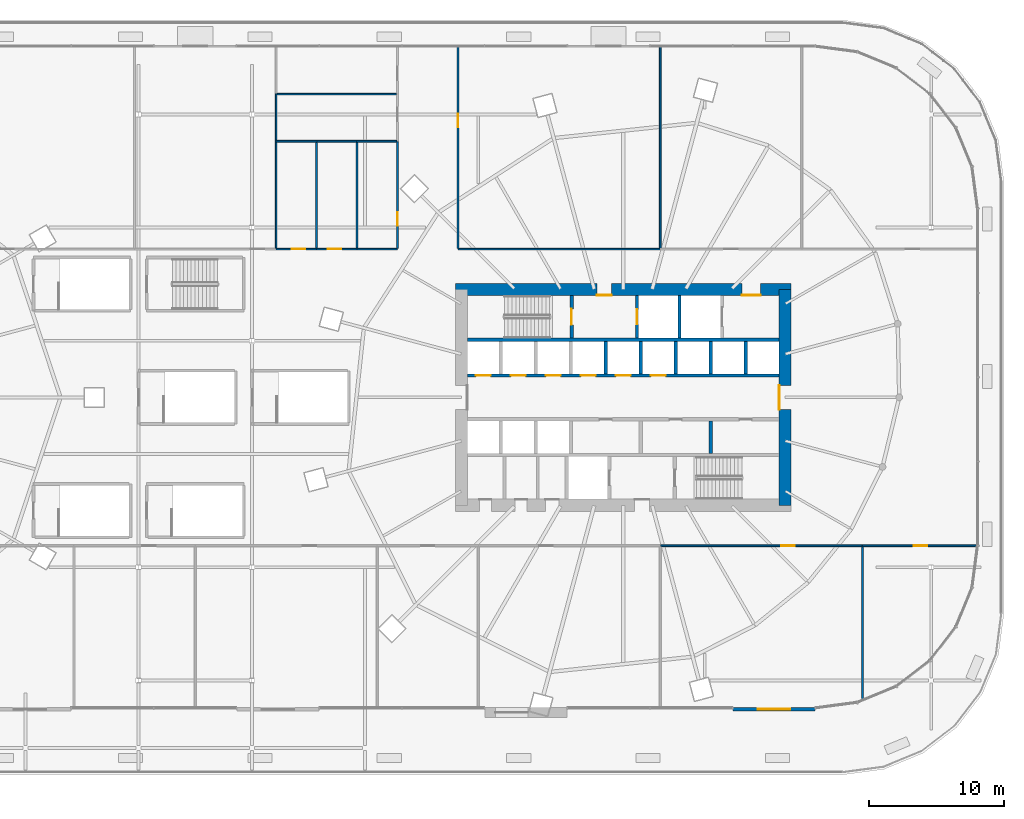
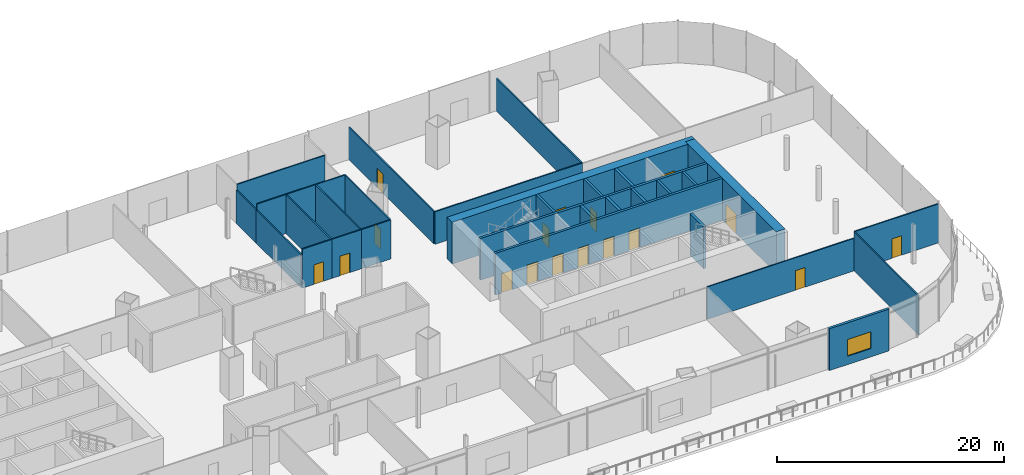
# One storey, part 37 of 49: 32 walls, 17 doors, 1 window, 18 openings.
"""IFC4 building model written with IfcOpenShell, lengths in metres."""

from ifc_helpers import new_model, si_unit, direction, frame, frame_2d, origin, place, context, subcontext, project, spatial, rectangle, extrude, material, layer, layer_set, type_object, element, fill, save


model = new_model("IFC4")

# Units and contexts
model_context = context("Model", 3, precision=1e-05, world=origin(), true_north=direction((0.0, 1.0)))
body_context = subcontext(model_context, "Body", "Model", "MODEL_VIEW")
ifc_project = project(units=[si_unit("LENGTHUNIT", "METRE"), si_unit("AREAUNIT", "SQUARE_METRE"), si_unit("VOLUMEUNIT", "CUBIC_METRE"), si_unit("PLANEANGLEUNIT", "RADIAN"), si_unit("MASSUNIT", "GRAM", prefix="KILO")], contexts=[model_context])

# Site, building, storey
site_placement = place(None, origin())
site = spatial("IfcSite", under=ifc_project, at=site_placement, CompositionType="ELEMENT")
building_placement = place(site_placement, origin())
building = spatial("IfcBuilding", under=site, at=building_placement, Name="Rimbun Link Towers", CompositionType="ELEMENT")
storey_placement = place(building_placement, frame((0.0, 0.0, 25.5)))
storey = spatial("IfcBuildingStorey", under=building, at=storey_placement, Name="L05", CompositionType="ELEMENT", Elevation=25.5)

# Wall, openings, doors
ifc_material_1 = material(Name="Concrete C60/75", Category="concrete")
ifc_layer_1 = layer(ifc_material_1, 0.89990234375)
ifc_layer_set_1 = layer_set([ifc_layer_1], Name="Core shear wall 900")
wall_type_1 = type_object("IfcWallType", Name="Core shear wall 900", PredefinedType="SHEAR", material=ifc_layer_set_1)
wall_1_placement = place(storey_placement, frame((19.300048828125, 8.0, 0.0), z_axis=(0.0, 0.0, 1.0), x_axis=(1.0, 0.0, 0.0)))
wall_1 = element("IfcWall", 1, at=wall_1_placement, inside=storey, type_object=wall_type_1, Name="L05 T2 core wall N", PredefinedType="SHEAR", context=body_context, shape_type="SweptSolid", body=[
    extrude(rectangle(XDim=24.89990234375, YDim=0.89990234375, at=frame_2d((12.449951171875, 0.0))), origin(), (0.0, 0.0, 1.0), 4.5),
])
opening_1_placement = place(wall_1_placement, frame((10.5, 0.0, 0.0)))
opening_1 = element("IfcOpeningElement", 2, at=opening_1_placement, cuts=wall_1, Name="Opening C2DCF01N", PredefinedType="OPENING", context=body_context, shape_type="SweptSolid", body=[
    extrude(rectangle(XDim=1.10009765625, YDim=2.10009765625, at=frame_2d((0.550048828125, 1.050048828125))), frame((0.0, 0.4599609375, 0.0), z_axis=(0.0, -1.0, 0.0), x_axis=(1.0, 0.0, 0.0)), (0.0, 0.0, 1.0), 0.919921875),
])
opening_2_placement = place(wall_1_placement, frame((21.25, 0.0, 0.0)))
opening_2 = element("IfcOpeningElement", 3, at=opening_2_placement, cuts=wall_1, Name="Opening C2DSL02N", PredefinedType="OPENING", context=body_context, shape_type="SweptSolid", body=[
    extrude(rectangle(XDim=1.39990234375, YDim=2.10009765625, at=frame_2d((0.699951171875, 1.050048828125))), frame((0.0, 0.4599609375, 0.0), z_axis=(0.0, -1.0, 0.0), x_axis=(1.0, 0.0, 0.0)), (0.0, 0.0, 1.0), 0.919921875),
])
ifc_material_2 = material(Name="Steel fire door set", Category="steel")
door_type_1 = type_object("IfcDoorType", Name="Core fire door single", OperationType="SINGLE_SWING_LEFT", PredefinedType="DOOR", material=ifc_material_2)
door_1_placement = place(opening_1_placement, origin())
door_1 = element("IfcDoor", 4, at=door_1_placement, inside=storey, type_object=door_type_1, Name="L05 T2 firefighting lobby n door", OperationType="SINGLE_SWING_LEFT", OverallHeight=2.10009765625, OverallWidth=1.10009765625, PredefinedType="DOOR", context=body_context, shape_type="SweptSolid", body=[
    extrude(rectangle(XDim=1.10009765625, YDim=2.10009765625, at=frame_2d((0.550048828125, 1.050048828125))), frame((0.0, -0.39990234375, 0.0), z_axis=(0.0, -1.0, 0.0), x_axis=(1.0, 0.0, 0.0)), (0.0, 0.0, 1.0), 0.050048828125),
])
fill(opening_1, door_1)
ifc_material_3 = material(Name="Steel fire door set", Category="steel")
door_type_2 = type_object("IfcDoorType", Name="Service lobby door double", OperationType="DOUBLE_DOOR_SINGLE_SWING", PredefinedType="DOOR", material=ifc_material_3)
door_2_placement = place(opening_2_placement, origin())
door_2 = element("IfcDoor", 5, at=door_2_placement, inside=storey, type_object=door_type_2, Name="L05 T2 service lobby door", OperationType="DOUBLE_DOOR_SINGLE_SWING", OverallHeight=2.10009765625, OverallWidth=1.39990234375, PredefinedType="DOOR", context=body_context, shape_type="SweptSolid", body=[
    extrude(rectangle(XDim=1.39990234375, YDim=2.10009765625, at=frame_2d((0.699951171875, 1.050048828125))), frame((0.0, -0.39990234375, 0.0), z_axis=(0.0, -1.0, 0.0), x_axis=(1.0, 0.0, 0.0)), (0.0, 0.0, 1.0), 0.050048828125),
])
fill(opening_2, door_2)

# Wall, opening, door
wall_2_placement = place(storey_placement, frame((43.75, -8.0, 0.0), z_axis=(0.0, 0.0, 1.0), x_axis=(0.0, 1.0, 0.0)))
wall_2 = element("IfcWall", 6, at=wall_2_placement, inside=storey, type_object=wall_type_1, Name="L05 T2 core wall E", PredefinedType="SHEAR", context=body_context, shape_type="SweptSolid", body=[
    extrude(rectangle(XDim=16.0, YDim=0.89990234375, at=frame_2d((8.0, 0.0))), origin(), (0.0, 0.0, 1.0), 4.5),
])
opening_3_placement = place(wall_2_placement, frame((7.10009765625, 0.0, 0.0)))
opening_3 = element("IfcOpeningElement", 7, at=opening_3_placement, cuts=wall_2, Name="Opening C2DCL01E", PredefinedType="OPENING", context=body_context, shape_type="SweptSolid", body=[
    extrude(rectangle(XDim=1.800048828125, YDim=2.10009765625, at=frame_2d((0.89990234375, 1.050048828125))), frame((0.0, 0.4599609375, 0.0), z_axis=(0.0, -1.0, 0.0), x_axis=(1.0, 0.0, 0.0)), (0.0, 0.0, 1.0), 0.919921875),
])
ifc_material_4 = material(Name="Steel fire door set", Category="steel")
door_type_3 = type_object("IfcDoorType", Name="Core lobby door double", OperationType="DOUBLE_DOOR_SINGLE_SWING", PredefinedType="DOOR", material=ifc_material_4)
door_3_placement = place(opening_3_placement, origin())
door_3 = element("IfcDoor", 8, at=door_3_placement, inside=storey, type_object=door_type_3, Name="L05 T2 lift lobby door", OperationType="DOUBLE_DOOR_SINGLE_SWING", OverallHeight=2.10009765625, OverallWidth=1.800048828125, PredefinedType="DOOR", context=body_context, shape_type="SweptSolid", body=[
    extrude(rectangle(XDim=1.800048828125, YDim=2.10009765625, at=frame_2d((0.89990234375, 1.050048828125))), frame((0.0, 0.4501953125, 0.0), z_axis=(0.0, -1.0, 0.0), x_axis=(1.0, 0.0, 0.0)), (0.0, 0.0, 1.0), 0.050048828125),
])
fill(opening_3, door_3)

# Wall, opening, window
ifc_material_5 = material(Name="Concrete C32/40, terracotta rainscreen cladding", Category="masonry")
ifc_layer_2 = layer(ifc_material_5, 0.25)
ifc_layer_set_2 = layer_set([ifc_layer_2], Name="PD solid bay wall 250")
wall_type_2 = type_object("IfcWallType", Name="PD solid bay wall 250", PredefinedType="STANDARD", material=ifc_layer_set_2)
wall_3_placement = place(storey_placement, frame((45.97998046875, -23.125, 0.0), z_axis=(0.0, 0.0, 1.0), x_axis=(-1.0, 0.0, 0.0)))
wall_3 = element("IfcWall", 9, at=wall_3_placement, inside=storey, type_object=wall_type_2, Name="Solid bay wall", PredefinedType="STANDARD", context=body_context, shape_type="SweptSolid", body=[
    extrude(rectangle(XDim=6.09326171875, YDim=0.25, at=frame_2d((3.046630859375, 0.0))), origin(), (0.0, 0.0, 1.0), 4.5),
])
opening_4_placement = place(wall_3_placement, frame((1.8466796875, 0.0, 0.89990234375)))
opening_4 = element("IfcOpeningElement", 10, at=opening_4_placement, cuts=wall_3, Name="Opening WN23", PredefinedType="OPENING", context=body_context, shape_type="SweptSolid", body=[
    extrude(rectangle(XDim=2.39990234375, YDim=1.800048828125, at=frame_2d((1.199951171875, 0.89990234375))), frame((0.0, 0.135009765625, 0.0), z_axis=(0.0, -1.0, 0.0), x_axis=(1.0, 0.0, 0.0)), (0.0, 0.0, 1.0), 0.27001953125),
])
ifc_material_6 = material(Name="Aluminium framed window, low-iron glass", Category="aluminium")
window_type = type_object("IfcWindowType", Name="W1 podium window 2400X1800", PartitioningType="SINGLE_PANEL", PredefinedType="WINDOW", material=ifc_material_6)
window_placement = place(opening_4_placement, origin())
window = element("IfcWindow", 11, at=window_placement, inside=storey, type_object=window_type, Name="Podium window", OverallHeight=1.800048828125, OverallWidth=2.39990234375, PartitioningType="SINGLE_PANEL", PredefinedType="WINDOW", context=body_context, shape_type="SweptSolid", body=[
    extrude(rectangle(XDim=2.39990234375, YDim=1.800048828125, at=frame_2d((1.199951171875, 0.89990234375))), frame((0.0, 0.030029296875, 0.0), z_axis=(0.0, -1.0, 0.0), x_axis=(1.0, 0.0, 0.0)), (0.0, 0.0, 1.0), 0.06005859375),
])
fill(opening_4, window)

# Wall, opening, door
ifc_material_7 = material(Name="Gypsum board on steel studs", Category="steel")
ifc_layer_3 = layer(ifc_material_7, 0.125)
ifc_layer_set_3 = layer_set([ifc_layer_3], Name="Partition 125 board on studs")
wall_type_3 = type_object("IfcWallType", Name="Partition 125 board on studs", PredefinedType="PARTITIONING", material=ifc_layer_set_3)
wall_4_placement = place(storey_placement, frame((34.5, -11.0, 0.0), z_axis=(0.0, 0.0, 1.0), x_axis=(1.0, 0.0, 0.0)))
wall_4 = element("IfcWall", 12, at=wall_4_placement, inside=storey, type_object=wall_type_3, Name="PD/PW/L05/033", PredefinedType="PARTITIONING", context=body_context, shape_type="SweptSolid", body=[
    extrude(rectangle(XDim=15.0, YDim=0.125, at=frame_2d((7.5, 0.0))), origin(), (0.0, 0.0, 1.0), 3.49609375),
])
opening_5_placement = place(wall_4_placement, frame((8.965087890625, 0.0, 0.0)))
opening_5 = element("IfcOpeningElement", 13, at=opening_5_placement, cuts=wall_4, Name="Opening PD D05.09", PredefinedType="OPENING", context=body_context, shape_type="SweptSolid", body=[
    extrude(rectangle(XDim=1.0, YDim=2.10009765625, at=frame_2d((0.5, 1.050048828125))), frame((0.0, 0.072509765625, 0.0), z_axis=(0.0, -1.0, 0.0), x_axis=(1.0, 0.0, 0.0)), (0.0, 0.0, 1.0), 0.14501953125),
])
ifc_material_8 = material(Name="Timber door set", Category="wood")
door_type_4 = type_object("IfcDoorType", Name="Door single leaf 1000 x 2100", OperationType="NOTDEFINED", PredefinedType="DOOR", material=ifc_material_8)
door_4_placement = place(opening_5_placement, origin())
door_4 = element("IfcDoor", 14, at=door_4_placement, inside=storey, type_object=door_type_4, Name="PD/DR/L05/009", OperationType="SINGLE_SWING_RIGHT", OverallHeight=2.10009765625, OverallWidth=1.0, PredefinedType="DOOR", context=body_context, shape_type="SweptSolid", body=[
    extrude(rectangle(XDim=1.0, YDim=2.10009765625, at=frame_2d((0.5, 1.050048828125))), frame((0.0, 0.02490234375, 0.0), z_axis=(0.0, -1.0, 0.0), x_axis=(1.0, 0.0, 0.0)), (0.0, 0.0, 1.0), 0.050048828125),
])
fill(opening_5, door_4)

wall_5_placement = place(storey_placement, frame((49.5, -11.0, 0.0), z_axis=(0.0, 0.0, 1.0), x_axis=(1.0, 0.0, 0.0)))
wall_5 = element("IfcWall", 15, at=wall_5_placement, inside=storey, type_object=wall_type_3, Name="PD/PW/L05/034", PredefinedType="PARTITIONING", context=body_context, shape_type="SweptSolid", body=[
    extrude(rectangle(XDim=8.580078125, YDim=0.125, at=frame_2d((4.2900390625, 0.0))), origin(), (0.0, 0.0, 1.0), 4.199951171875),
])
opening_6_placement = place(wall_5_placement, frame((3.7900390625, 0.0, 0.0)))
opening_6 = element("IfcOpeningElement", 16, at=opening_6_placement, cuts=wall_5, Name="Opening PD D05.10", PredefinedType="OPENING", context=body_context, shape_type="SweptSolid", body=[
    extrude(rectangle(XDim=1.0, YDim=2.10009765625, at=frame_2d((0.5, 1.050048828125))), frame((0.0, 0.072509765625, 0.0), z_axis=(0.0, -1.0, 0.0), x_axis=(1.0, 0.0, 0.0)), (0.0, 0.0, 1.0), 0.14501953125),
])
door_5_placement = place(opening_6_placement, origin())
door_5 = element("IfcDoor", 17, at=door_5_placement, inside=storey, type_object=door_type_4, Name="PD/DR/L05/010", OperationType="SINGLE_SWING_LEFT", OverallHeight=2.10009765625, OverallWidth=1.0, PredefinedType="DOOR", context=body_context, shape_type="SweptSolid", body=[
    extrude(rectangle(XDim=1.0, YDim=2.10009765625, at=frame_2d((0.5, 1.050048828125))), frame((0.0, 0.02490234375, 0.0), z_axis=(0.0, -1.0, 0.0), x_axis=(1.0, 0.0, 0.0)), (0.0, 0.0, 1.0), 0.050048828125),
])
fill(opening_6, door_5)

wall_6_placement = place(storey_placement, frame((9.0, 11.0, 0.0), z_axis=(0.0, 0.0, 1.0), x_axis=(-1.0, 0.0, 0.0)))
wall_6 = element("IfcWall", 18, at=wall_6_placement, inside=storey, type_object=wall_type_3, Name="PD/PW/L05/035", PredefinedType="PARTITIONING", context=body_context, shape_type="SweptSolid", body=[
    extrude(rectangle(XDim=3.0, YDim=0.125, at=frame_2d((1.5, 0.0))), origin(), (0.0, 0.0, 1.0), 4.199951171875),
])
opening_7_placement = place(wall_6_placement, frame((0.8349609375, 0.0, 0.0)))
opening_7 = element("IfcOpeningElement", 19, at=opening_7_placement, cuts=wall_6, Name="Opening PD D05.11", PredefinedType="OPENING", context=body_context, shape_type="SweptSolid", body=[
    extrude(rectangle(XDim=1.0, YDim=2.10009765625, at=frame_2d((0.5, 1.050048828125))), frame((0.0, 0.072509765625, 0.0), z_axis=(0.0, -1.0, 0.0), x_axis=(1.0, 0.0, 0.0)), (0.0, 0.0, 1.0), 0.14501953125),
])
door_6_placement = place(opening_7_placement, origin())
door_6 = element("IfcDoor", 20, at=door_6_placement, inside=storey, type_object=door_type_4, Name="PD/DR/L05/011", OperationType="SINGLE_SWING_RIGHT", OverallHeight=2.10009765625, OverallWidth=1.0, PredefinedType="DOOR", context=body_context, shape_type="SweptSolid", body=[
    extrude(rectangle(XDim=1.0, YDim=2.10009765625, at=frame_2d((0.5, 1.050048828125))), frame((0.0, 0.02490234375, 0.0), z_axis=(0.0, -1.0, 0.0), x_axis=(1.0, 0.0, 0.0)), (0.0, 0.0, 1.0), 0.050048828125),
])
fill(opening_7, door_6)

wall_7_placement = place(storey_placement, frame((12.0, 11.0, 0.0), z_axis=(0.0, 0.0, 1.0), x_axis=(-1.0, 0.0, 0.0)))
wall_7 = element("IfcWall", 21, at=wall_7_placement, inside=storey, type_object=wall_type_3, Name="PD/PW/L05/036", PredefinedType="PARTITIONING", context=body_context, shape_type="SweptSolid", body=[
    extrude(rectangle(XDim=3.0, YDim=0.125, at=frame_2d((1.5, 0.0))), origin(), (0.0, 0.0, 1.0), 4.199951171875),
])
opening_8_placement = place(wall_7_placement, frame((1.1650390625, 0.0, 0.0)))
opening_8 = element("IfcOpeningElement", 22, at=opening_8_placement, cuts=wall_7, Name="Opening PD D05.12", PredefinedType="OPENING", context=body_context, shape_type="SweptSolid", body=[
    extrude(rectangle(XDim=1.0, YDim=2.10009765625, at=frame_2d((0.5, 1.050048828125))), frame((0.0, 0.072509765625, 0.0), z_axis=(0.0, -1.0, 0.0), x_axis=(1.0, 0.0, 0.0)), (0.0, 0.0, 1.0), 0.14501953125),
])
door_7_placement = place(opening_8_placement, origin())
door_7 = element("IfcDoor", 23, at=door_7_placement, inside=storey, type_object=door_type_4, Name="PD/DR/L05/012", OperationType="SINGLE_SWING_LEFT", OverallHeight=2.10009765625, OverallWidth=1.0, PredefinedType="DOOR", context=body_context, shape_type="SweptSolid", body=[
    extrude(rectangle(XDim=1.0, YDim=2.10009765625, at=frame_2d((0.5, 1.050048828125))), frame((0.0, 0.02490234375, 0.0), z_axis=(0.0, -1.0, 0.0), x_axis=(1.0, 0.0, 0.0)), (0.0, 0.0, 1.0), 0.050048828125),
])
fill(opening_8, door_7)

# Walls
wall_8_placement = place(storey_placement, frame((15.0, 11.0, 0.0), z_axis=(0.0, 0.0, 1.0), x_axis=(-1.0, 0.0, 0.0)))
element("IfcWall", 24, at=wall_8_placement, inside=storey, type_object=wall_type_3, Name="PD/PW/L05/037", PredefinedType="PARTITIONING", context=body_context, shape_type="SweptSolid", body=[
    extrude(rectangle(XDim=3.0, YDim=0.125, at=frame_2d((1.5, 0.0))), origin(), (0.0, 0.0, 1.0), 4.199951171875),
])
wall_9_placement = place(storey_placement, frame((34.5, 11.0, 0.0), z_axis=(0.0, 0.0, 1.0), x_axis=(-1.0, 0.0, 0.0)))
element("IfcWall", 25, at=wall_9_placement, inside=storey, type_object=wall_type_3, Name="PD/PW/L05/043", PredefinedType="PARTITIONING", context=body_context, shape_type="SweptSolid", body=[
    extrude(rectangle(XDim=15.0, YDim=0.125, at=frame_2d((7.5, 0.0))), origin(), (0.0, 0.0, 1.0), 3.49609375),
])
wall_10_placement = place(storey_placement, frame((49.5, -22.427734375, 0.0), z_axis=(0.0, 0.0, 1.0), x_axis=(0.0, 1.0, 0.0)))
element("IfcWall", 26, at=wall_10_placement, inside=storey, type_object=wall_type_3, Name="PD/PW/L05/054", PredefinedType="PARTITIONING", context=body_context, shape_type="SweptSolid", body=[
    extrude(rectangle(XDim=11.365234375, YDim=0.125, at=frame_2d((5.6826171875, 0.0))), origin(), (0.0, 0.0, 1.0), 4.199951171875),
])

# Wall, opening, door
wall_11_placement = place(storey_placement, frame((15.0, 19.0, 0.0), z_axis=(0.0, 0.0, 1.0), x_axis=(0.0, -1.0, 0.0)))
wall_11 = element("IfcWall", 27, at=wall_11_placement, inside=storey, type_object=wall_type_3, Name="PD/PW/L05/055", PredefinedType="PARTITIONING", context=body_context, shape_type="SweptSolid", body=[
    extrude(rectangle(XDim=7.9375, YDim=0.125, at=frame_2d((3.96875, 0.0))), origin(), (0.0, 0.0, 1.0), 4.199951171875),
])
opening_9_placement = place(wall_11_placement, frame((5.280029296875, 0.0, 0.0)))
opening_9 = element("IfcOpeningElement", 28, at=opening_9_placement, cuts=wall_11, Name="Opening PD D05.13", PredefinedType="OPENING", context=body_context, shape_type="SweptSolid", body=[
    extrude(rectangle(XDim=1.0, YDim=2.10009765625, at=frame_2d((0.5, 1.050048828125))), frame((0.0, 0.072509765625, 0.0), z_axis=(0.0, -1.0, 0.0), x_axis=(1.0, 0.0, 0.0)), (0.0, 0.0, 1.0), 0.14501953125),
])
door_8_placement = place(opening_9_placement, origin())
door_8 = element("IfcDoor", 29, at=door_8_placement, inside=storey, type_object=door_type_4, Name="PD/DR/L05/013", OperationType="SINGLE_SWING_RIGHT", OverallHeight=2.10009765625, OverallWidth=1.0, PredefinedType="DOOR", context=body_context, shape_type="SweptSolid", body=[
    extrude(rectangle(XDim=1.0, YDim=2.10009765625, at=frame_2d((0.5, 1.050048828125))), frame((0.0, 0.02490234375, 0.0), z_axis=(0.0, -1.0, 0.0), x_axis=(1.0, 0.0, 0.0)), (0.0, 0.0, 1.0), 0.050048828125),
])
fill(opening_9, door_8)

wall_12_placement = place(storey_placement, frame((19.5, 11.0625, 0.0), z_axis=(0.0, 0.0, 1.0), x_axis=(0.0, 1.0, 0.0)))
wall_12 = element("IfcWall", 30, at=wall_12_placement, inside=storey, type_object=wall_type_3, Name="PD/PW/L05/058", PredefinedType="PARTITIONING", context=body_context, shape_type="SweptSolid", body=[
    extrude(rectangle(XDim=15.017578125, YDim=0.125, at=frame_2d((7.5087890625, 0.0))), origin(), (0.0, 0.0, 1.0), 3.49609375),
])
opening_10_placement = place(wall_12_placement, frame((8.97607421875, 0.0, 0.0)))
opening_10 = element("IfcOpeningElement", 31, at=opening_10_placement, cuts=wall_12, Name="Opening PD D05.21", PredefinedType="OPENING", context=body_context, shape_type="SweptSolid", body=[
    extrude(rectangle(XDim=1.0, YDim=2.10009765625, at=frame_2d((0.5, 1.050048828125))), frame((0.0, 0.072509765625, 0.0), z_axis=(0.0, -1.0, 0.0), x_axis=(1.0, 0.0, 0.0)), (0.0, 0.0, 1.0), 0.14501953125),
])
door_9_placement = place(opening_10_placement, origin())
door_9 = element("IfcDoor", 32, at=door_9_placement, inside=storey, type_object=door_type_4, Name="PD/DR/L05/021", OperationType="SINGLE_SWING_RIGHT", OverallHeight=2.10009765625, OverallWidth=1.0, PredefinedType="DOOR", context=body_context, shape_type="SweptSolid", body=[
    extrude(rectangle(XDim=1.0, YDim=2.10009765625, at=frame_2d((0.5, 1.050048828125))), frame((0.0, 0.02490234375, 0.0), z_axis=(0.0, -1.0, 0.0), x_axis=(1.0, 0.0, 0.0)), (0.0, 0.0, 1.0), 0.050048828125),
])
fill(opening_10, door_9)

# Walls
wall_13_placement = place(storey_placement, frame((9.0, 11.0625, 0.0), z_axis=(0.0, 0.0, 1.0), x_axis=(0.0, 1.0, 0.0)))
element("IfcWall", 33, at=wall_13_placement, inside=storey, type_object=wall_type_3, Name="PD/PW/L05/059", PredefinedType="PARTITIONING", context=body_context, shape_type="SweptSolid", body=[
    extrude(rectangle(XDim=7.9375, YDim=0.125, at=frame_2d((3.96875, 0.0))), origin(), (0.0, 0.0, 1.0), 4.199951171875),
])
wall_14_placement = place(storey_placement, frame((9.02001953125, 19.0, 0.0), z_axis=(0.0, 0.0, 1.0), x_axis=(-1.0, 0.0, 0.0)))
element("IfcWall", 34, at=wall_14_placement, inside=storey, type_object=wall_type_3, Name="PD/PW/L05/060", PredefinedType="PARTITIONING", context=body_context, shape_type="SweptSolid", body=[
    extrude(rectangle(XDim=3.02001953125, YDim=0.125, at=frame_2d((1.510009765625, 0.0))), origin(), (0.0, 0.0, 1.0), 4.199951171875),
])
wall_15_placement = place(storey_placement, frame((6.0, 19.02001953125, 0.0), z_axis=(0.0, 0.0, 1.0), x_axis=(0.0, -1.0, 0.0)))
element("IfcWall", 35, at=wall_15_placement, inside=storey, type_object=wall_type_3, Name="PD/PW/L05/061", PredefinedType="PARTITIONING", context=body_context, shape_type="SweptSolid", body=[
    extrude(rectangle(XDim=7.95751953125, YDim=0.125, at=frame_2d((3.978759765625, 0.0))), origin(), (0.0, 0.0, 1.0), 3.576904296875),
])
wall_16_placement = place(storey_placement, frame((12.0, 11.0625, 0.0), z_axis=(0.0, 0.0, 1.0), x_axis=(0.0, 1.0, 0.0)))
element("IfcWall", 36, at=wall_16_placement, inside=storey, type_object=wall_type_3, Name="PD/PW/L05/062", PredefinedType="PARTITIONING", context=body_context, shape_type="SweptSolid", body=[
    extrude(rectangle(XDim=7.9375, YDim=0.125, at=frame_2d((3.96875, 0.0))), origin(), (0.0, 0.0, 1.0), 4.199951171875),
])
wall_17_placement = place(storey_placement, frame((12.02001953125, 19.0, 0.0), z_axis=(0.0, 0.0, 1.0), x_axis=(-1.0, 0.0, 0.0)))
element("IfcWall", 37, at=wall_17_placement, inside=storey, type_object=wall_type_3, Name="PD/PW/L05/063", PredefinedType="PARTITIONING", context=body_context, shape_type="SweptSolid", body=[
    extrude(rectangle(XDim=3.0400390625, YDim=0.125, at=frame_2d((1.52001953125, 0.0))), origin(), (0.0, 0.0, 1.0), 4.199951171875),
])
wall_18_placement = place(storey_placement, frame((14.9375, 19.0, 0.0), z_axis=(0.0, 0.0, 1.0), x_axis=(-1.0, 0.0, 0.0)))
element("IfcWall", 38, at=wall_18_placement, inside=storey, type_object=wall_type_3, Name="PD/PW/L05/064", PredefinedType="PARTITIONING", context=body_context, shape_type="SweptSolid", body=[
    extrude(rectangle(XDim=2.95751953125, YDim=0.125, at=frame_2d((1.478759765625, 0.0))), origin(), (0.0, 0.0, 1.0), 4.199951171875),
])
wall_19_placement = place(storey_placement, frame((14.9375, 22.5, 0.0), z_axis=(0.0, 0.0, 1.0), x_axis=(-1.0, 0.0, 0.0)))
element("IfcWall", 39, at=wall_19_placement, inside=storey, type_object=wall_type_3, Name="PD/PW/L05/065", PredefinedType="PARTITIONING", context=body_context, shape_type="SweptSolid", body=[
    extrude(rectangle(XDim=8.9375, YDim=0.125, at=frame_2d((4.46875, 0.0))), origin(), (0.0, 0.0, 1.0), 4.199951171875),
])
wall_20_placement = place(storey_placement, frame((6.0, 22.52001953125, 0.0), z_axis=(0.0, 0.0, 1.0), x_axis=(0.0, -1.0, 0.0)))
element("IfcWall", 40, at=wall_20_placement, inside=storey, type_object=wall_type_3, Name="PD/PW/L05/066", PredefinedType="PARTITIONING", context=body_context, shape_type="SweptSolid", body=[
    extrude(rectangle(XDim=3.5400390625, YDim=0.125, at=frame_2d((1.77001953125, 0.0))), origin(), (0.0, 0.0, 1.0), 3.576904296875),
])
wall_21_placement = place(storey_placement, frame((34.5, 11.0625, 0.0), z_axis=(0.0, 0.0, 1.0), x_axis=(0.0, 1.0, 0.0)))
element("IfcWall", 41, at=wall_21_placement, inside=storey, type_object=wall_type_3, Name="PD/PW/L05/072", PredefinedType="PARTITIONING", context=body_context, shape_type="SweptSolid", body=[
    extrude(rectangle(XDim=15.017578125, YDim=0.125, at=frame_2d((7.5087890625, 0.0))), origin(), (0.0, 0.0, 1.0), 3.49609375),
])
ifc_material_9 = material(Name="Concrete C60/75", Category="concrete")
ifc_layer_4 = layer(ifc_material_9, 0.25)
ifc_layer_set_4 = layer_set([ifc_layer_4], Name="Shaft wall 250")
wall_type_4 = type_object("IfcWallType", Name="Shaft wall 250", PredefinedType="SHEAR", material=ifc_layer_set_4)
wall_22_placement = place(storey_placement, frame((20.199951171875, 4.27490234375, 0.0), z_axis=(0.0, 0.0, 1.0), x_axis=(1.0, 0.0, 0.0)))
element("IfcWall", 42, at=wall_22_placement, inside=storey, type_object=wall_type_4, Name="L05 T2 core wall BN", PredefinedType="SHEAR", context=body_context, shape_type="SweptSolid", body=[
    extrude(rectangle(XDim=23.10009765625, YDim=0.25, at=frame_2d((11.550048828125, 0.0))), origin(), (0.0, 0.0, 1.0), 4.5),
])

# Wall, openings, doors
wall_23_placement = place(storey_placement, frame((20.199951171875, 1.625, 0.0), z_axis=(0.0, 0.0, 1.0), x_axis=(1.0, 0.0, 0.0)))
wall_23 = element("IfcWall", 43, at=wall_23_placement, inside=storey, type_object=wall_type_4, Name="L05 T2 core wall FN", PredefinedType="SHEAR", context=body_context, shape_type="SweptSolid", body=[
    extrude(rectangle(XDim=23.10009765625, YDim=0.25, at=frame_2d((11.550048828125, 0.0))), origin(), (0.0, 0.0, 1.0), 4.5),
])
opening_11_placement = place(wall_23_placement, frame((0.622314453125, 0.0, 0.0)))
opening_11 = element("IfcOpeningElement", 44, at=opening_11_placement, cuts=wall_23, Name="Opening LD-T2-LR1", PredefinedType="OPENING", context=body_context, shape_type="SweptSolid", body=[
    extrude(rectangle(XDim=1.10009765625, YDim=2.10009765625, at=frame_2d((0.550048828125, 1.050048828125))), frame((0.0, 0.135009765625, 0.0), z_axis=(0.0, -1.0, 0.0), x_axis=(1.0, 0.0, 0.0)), (0.0, 0.0, 1.0), 0.27001953125),
])
opening_12_placement = place(wall_23_placement, frame((3.216796875, 0.0, 0.0)))
opening_12 = element("IfcOpeningElement", 45, at=opening_12_placement, cuts=wall_23, Name="Opening LD-T2-LR2", PredefinedType="OPENING", context=body_context, shape_type="SweptSolid", body=[
    extrude(rectangle(XDim=1.10009765625, YDim=2.10009765625, at=frame_2d((0.550048828125, 1.050048828125))), frame((0.0, 0.135009765625, 0.0), z_axis=(0.0, -1.0, 0.0), x_axis=(1.0, 0.0, 0.0)), (0.0, 0.0, 1.0), 0.27001953125),
])
opening_13_placement = place(wall_23_placement, frame((5.81103515625, 0.0, 0.0)))
opening_13 = element("IfcOpeningElement", 46, at=opening_13_placement, cuts=wall_23, Name="Opening LD-T2-LR3", PredefinedType="OPENING", context=body_context, shape_type="SweptSolid", body=[
    extrude(rectangle(XDim=1.10009765625, YDim=2.10009765625, at=frame_2d((0.550048828125, 1.050048828125))), frame((0.0, 0.135009765625, 0.0), z_axis=(0.0, -1.0, 0.0), x_axis=(1.0, 0.0, 0.0)), (0.0, 0.0, 1.0), 0.27001953125),
])
opening_14_placement = place(wall_23_placement, frame((8.405517578125, 0.0, 0.0)))
opening_14 = element("IfcOpeningElement", 47, at=opening_14_placement, cuts=wall_23, Name="Opening LD-T2-LR4", PredefinedType="OPENING", context=body_context, shape_type="SweptSolid", body=[
    extrude(rectangle(XDim=1.10009765625, YDim=2.10009765625, at=frame_2d((0.550048828125, 1.050048828125))), frame((0.0, 0.135009765625, 0.0), z_axis=(0.0, -1.0, 0.0), x_axis=(1.0, 0.0, 0.0)), (0.0, 0.0, 1.0), 0.27001953125),
])
opening_15_placement = place(wall_23_placement, frame((11.0, 0.0, 0.0)))
opening_15 = element("IfcOpeningElement", 48, at=opening_15_placement, cuts=wall_23, Name="Opening LD-T2-LR5", PredefinedType="OPENING", context=body_context, shape_type="SweptSolid", body=[
    extrude(rectangle(XDim=1.10009765625, YDim=2.10009765625, at=frame_2d((0.550048828125, 1.050048828125))), frame((0.0, 0.135009765625, 0.0), z_axis=(0.0, -1.0, 0.0), x_axis=(1.0, 0.0, 0.0)), (0.0, 0.0, 1.0), 0.27001953125),
])
opening_16_placement = place(wall_23_placement, frame((13.594482421875, 0.0, 0.0)))
opening_16 = element("IfcOpeningElement", 49, at=opening_16_placement, cuts=wall_23, Name="Opening LD-T2-LR6", PredefinedType="OPENING", context=body_context, shape_type="SweptSolid", body=[
    extrude(rectangle(XDim=1.10009765625, YDim=2.10009765625, at=frame_2d((0.550048828125, 1.050048828125))), frame((0.0, 0.135009765625, 0.0), z_axis=(0.0, -1.0, 0.0), x_axis=(1.0, 0.0, 0.0)), (0.0, 0.0, 1.0), 0.27001953125),
])
ifc_material_10 = material(Name="Stainless steel grade 316", Category="steel")
door_type_5 = type_object("IfcDoorType", Name="Lift landing door", OperationType="DOUBLE_DOOR_SLIDING", PredefinedType="DOOR", material=ifc_material_10)
door_10_placement = place(opening_11_placement, origin())
door_10 = element("IfcDoor", 50, at=door_10_placement, inside=storey, type_object=door_type_5, Name="L05 T2 lift LR1 landing door", OperationType="DOUBLE_DOOR_SLIDING", OverallHeight=2.10009765625, OverallWidth=1.10009765625, PredefinedType="DOOR", context=body_context, shape_type="SweptSolid", body=[
    extrude(rectangle(XDim=1.10009765625, YDim=2.10009765625, at=frame_2d((0.550048828125, 1.050048828125))), frame((0.0, 0.02490234375, 0.0), z_axis=(0.0, -1.0, 0.0), x_axis=(1.0, 0.0, 0.0)), (0.0, 0.0, 1.0), 0.050048828125),
])
fill(opening_11, door_10)
door_11_placement = place(opening_12_placement, origin())
door_11 = element("IfcDoor", 51, at=door_11_placement, inside=storey, type_object=door_type_5, Name="L05 T2 lift LR2 landing door", OperationType="DOUBLE_DOOR_SLIDING", OverallHeight=2.10009765625, OverallWidth=1.10009765625, PredefinedType="DOOR", context=body_context, shape_type="SweptSolid", body=[
    extrude(rectangle(XDim=1.10009765625, YDim=2.10009765625, at=frame_2d((0.550048828125, 1.050048828125))), frame((0.0, 0.02490234375, 0.0), z_axis=(0.0, -1.0, 0.0), x_axis=(1.0, 0.0, 0.0)), (0.0, 0.0, 1.0), 0.050048828125),
])
fill(opening_12, door_11)
door_12_placement = place(opening_13_placement, origin())
door_12 = element("IfcDoor", 52, at=door_12_placement, inside=storey, type_object=door_type_5, Name="L05 T2 lift LR3 landing door", OperationType="DOUBLE_DOOR_SLIDING", OverallHeight=2.10009765625, OverallWidth=1.10009765625, PredefinedType="DOOR", context=body_context, shape_type="SweptSolid", body=[
    extrude(rectangle(XDim=1.10009765625, YDim=2.10009765625, at=frame_2d((0.550048828125, 1.050048828125))), frame((0.0, 0.02490234375, 0.0), z_axis=(0.0, -1.0, 0.0), x_axis=(1.0, 0.0, 0.0)), (0.0, 0.0, 1.0), 0.050048828125),
])
fill(opening_13, door_12)
door_13_placement = place(opening_14_placement, origin())
door_13 = element("IfcDoor", 53, at=door_13_placement, inside=storey, type_object=door_type_5, Name="L05 T2 lift LR4 landing door", OperationType="DOUBLE_DOOR_SLIDING", OverallHeight=2.10009765625, OverallWidth=1.10009765625, PredefinedType="DOOR", context=body_context, shape_type="SweptSolid", body=[
    extrude(rectangle(XDim=1.10009765625, YDim=2.10009765625, at=frame_2d((0.550048828125, 1.050048828125))), frame((0.0, 0.02490234375, 0.0), z_axis=(0.0, -1.0, 0.0), x_axis=(1.0, 0.0, 0.0)), (0.0, 0.0, 1.0), 0.050048828125),
])
fill(opening_14, door_13)
door_14_placement = place(opening_15_placement, origin())
door_14 = element("IfcDoor", 54, at=door_14_placement, inside=storey, type_object=door_type_5, Name="L05 T2 lift LR5 landing door", OperationType="DOUBLE_DOOR_SLIDING", OverallHeight=2.10009765625, OverallWidth=1.10009765625, PredefinedType="DOOR", context=body_context, shape_type="SweptSolid", body=[
    extrude(rectangle(XDim=1.10009765625, YDim=2.10009765625, at=frame_2d((0.550048828125, 1.050048828125))), frame((0.0, 0.02490234375, 0.0), z_axis=(0.0, -1.0, 0.0), x_axis=(1.0, 0.0, 0.0)), (0.0, 0.0, 1.0), 0.050048828125),
])
fill(opening_15, door_14)
door_15_placement = place(opening_16_placement, origin())
door_15 = element("IfcDoor", 55, at=door_15_placement, inside=storey, type_object=door_type_5, Name="L05 T2 lift LR6 landing door", OperationType="DOUBLE_DOOR_SLIDING", OverallHeight=2.10009765625, OverallWidth=1.10009765625, PredefinedType="DOOR", context=body_context, shape_type="SweptSolid", body=[
    extrude(rectangle(XDim=1.10009765625, YDim=2.10009765625, at=frame_2d((0.550048828125, 1.050048828125))), frame((0.0, 0.02490234375, 0.0), z_axis=(0.0, -1.0, 0.0), x_axis=(1.0, 0.0, 0.0)), (0.0, 0.0, 1.0), 0.050048828125),
])
fill(opening_16, door_15)

# Walls
for number, where, z_axis, x_axis, name in (
    (56, (30.452880859375, 1.75, 0.0), (0.0, 0.0, 1.0), (0.0, 1.0, 0.0), "L05 T2 core wall DN3"),
    (57, (33.047119140625, 1.75, 0.0), (0.0, 0.0, 1.0), (0.0, 1.0, 0.0), "L05 T2 core wall DN4"),
    (58, (35.6416015625, 1.75, 0.0), (0.0, 0.0, 1.0), (0.0, 1.0, 0.0), "L05 T2 core wall DN5"),
    (59, (38.236083984375, 1.75, 0.0), (0.0, 0.0, 1.0), (0.0, 1.0, 0.0), "L05 T2 core wall DN6"),
    (60, (40.83056640625, 1.75, 0.0), (0.0, 0.0, 1.0), (0.0, 1.0, 0.0), "L05 T2 core wall DN7"),
    (61, (38.236083984375, -4.14990234375, 0.0), (0.0, 0.0, 1.0), (0.0, 1.0, 0.0), "L05 T2 core wall DS6"),
):
    element("IfcWall", number, at=place(storey_placement, frame(where, z_axis=z_axis, x_axis=x_axis)), inside=storey, type_object=wall_type_4, Name=name, PredefinedType="SHEAR", context=body_context, shape_type="SweptSolid", body=[
        extrude(rectangle(XDim=2.39990234375, YDim=0.25, at=frame_2d((1.199951171875, 0.0))), origin(), (0.0, 0.0, 1.0), 4.5),
    ])

# Wall, opening, door
wall_24_placement = place(storey_placement, frame((27.925048828125, 4.39990234375, 0.0), z_axis=(0.0, 0.0, 1.0), x_axis=(0.0, 1.0, 0.0)))
wall_24 = element("IfcWall", 62, at=wall_24_placement, inside=storey, type_object=wall_type_4, Name="L05 T2 core wall A1", PredefinedType="SHEAR", context=body_context, shape_type="SweptSolid", body=[
    extrude(rectangle(XDim=3.150146484375, YDim=0.25, at=frame_2d((1.5751953125, 0.0))), origin(), (0.0, 0.0, 1.0), 4.5),
])
opening_17_placement = place(wall_24_placement, frame((0.97509765625, 0.0, 0.0)))
opening_17 = element("IfcOpeningElement", 63, at=opening_17_placement, cuts=wall_24, Name="Opening C2DST01A1", PredefinedType="OPENING", context=body_context, shape_type="SweptSolid", body=[
    extrude(rectangle(XDim=1.199951171875, YDim=2.10009765625, at=frame_2d((0.60009765625, 1.050048828125))), frame((0.0, 0.135009765625, 0.0), z_axis=(0.0, -1.0, 0.0), x_axis=(1.0, 0.0, 0.0)), (0.0, 0.0, 1.0), 0.27001953125),
])
ifc_material_11 = material(Name="Steel fire door set", Category="steel")
door_type_6 = type_object("IfcDoorType", Name="Stair door", OperationType="SINGLE_SWING_LEFT", PredefinedType="DOOR", material=ifc_material_11)
door_16_placement = place(opening_17_placement, origin())
door_16 = element("IfcDoor", 64, at=door_16_placement, inside=storey, type_object=door_type_6, Name="L05 T2 stair a door", OperationType="SINGLE_SWING_RIGHT", OverallHeight=2.10009765625, OverallWidth=1.199951171875, PredefinedType="DOOR", context=body_context, shape_type="SweptSolid", body=[
    extrude(rectangle(XDim=1.199951171875, YDim=2.10009765625, at=frame_2d((0.60009765625, 1.050048828125))), frame((0.0, 0.02490234375, 0.0), z_axis=(0.0, -1.0, 0.0), x_axis=(1.0, 0.0, 0.0)), (0.0, 0.0, 1.0), 0.050048828125),
])
fill(opening_17, door_16)

wall_25_placement = place(storey_placement, frame((32.77490234375, 4.39990234375, 0.0), z_axis=(0.0, 0.0, 1.0), x_axis=(0.0, 1.0, 0.0)))
wall_25 = element("IfcWall", 65, at=wall_25_placement, inside=storey, type_object=wall_type_4, Name="L05 T2 core wall A2", PredefinedType="SHEAR", context=body_context, shape_type="SweptSolid", body=[
    extrude(rectangle(XDim=3.150146484375, YDim=0.25, at=frame_2d((1.5751953125, 0.0))), origin(), (0.0, 0.0, 1.0), 4.5),
])
opening_18_placement = place(wall_25_placement, frame((1.02490234375, 0.0, 0.0)))
opening_18 = element("IfcOpeningElement", 66, at=opening_18_placement, cuts=wall_25, Name="Opening LD-T2-FF1", PredefinedType="OPENING", context=body_context, shape_type="SweptSolid", body=[
    extrude(rectangle(XDim=1.10009765625, YDim=2.10009765625, at=frame_2d((0.550048828125, 1.050048828125))), frame((0.0, 0.135009765625, 0.0), z_axis=(0.0, -1.0, 0.0), x_axis=(1.0, 0.0, 0.0)), (0.0, 0.0, 1.0), 0.27001953125),
])
door_17_placement = place(opening_18_placement, origin())
door_17 = element("IfcDoor", 67, at=door_17_placement, inside=storey, type_object=door_type_5, Name="L05 T2 lift FF1 landing door", OperationType="DOUBLE_DOOR_SLIDING", OverallHeight=2.10009765625, OverallWidth=1.10009765625, PredefinedType="DOOR", context=body_context, shape_type="SweptSolid", body=[
    extrude(rectangle(XDim=1.10009765625, YDim=2.10009765625, at=frame_2d((0.550048828125, 1.050048828125))), frame((0.0, 0.02490234375, 0.0), z_axis=(0.0, -1.0, 0.0), x_axis=(1.0, 0.0, 0.0)), (0.0, 0.0, 1.0), 0.050048828125),
])
fill(opening_18, door_17)

# Wall
wall_26_placement = place(storey_placement, frame((35.925048828125, 4.39990234375, 0.0), z_axis=(0.0, 0.0, 1.0), x_axis=(0.0, 1.0, 0.0)))
element("IfcWall", 68, at=wall_26_placement, inside=storey, type_object=wall_type_4, Name="L05 T2 core wall A3", PredefinedType="SHEAR", context=body_context, shape_type="SweptSolid", body=[
    extrude(rectangle(XDim=3.150146484375, YDim=0.25, at=frame_2d((1.5751953125, 0.0))), origin(), (0.0, 0.0, 1.0), 4.5),
])

save(model, "model.ifc")
